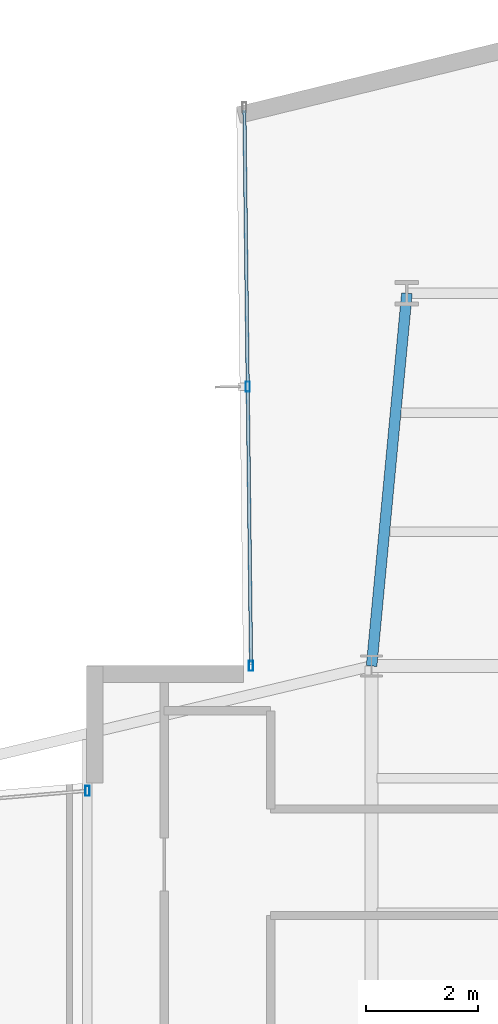
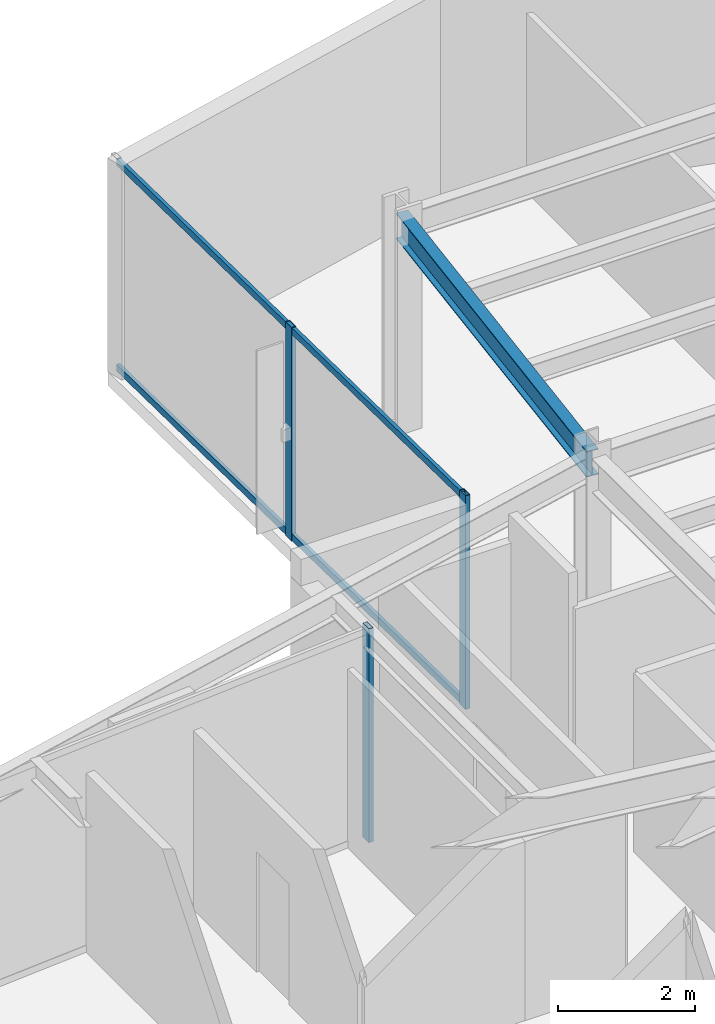
# One storey, part 10 of 25: 5 members, 1 beam, 2 elements without a shape of their own.
"""IFC4 building model written with IfcOpenShell, lengths in metres."""

import ifcopenshell
import ifcopenshell.guid

model = None  # the IFC model being written
_history = None  # IfcOwnerHistory: only IFC2X3 demands one
_inside = {}  # id of a spatial element -> (the spatial element, [elements in it])
_under = {}  # id of a project, library or spatial element -> (it, [spatial elements below it])
_declared = {}  # id of a project -> (the project, [libraries it declares])
_typed = {}  # id of a type object -> (the type object, [elements of that type])
_made_of = {}  # id of a material, layer set ... -> (it, [elements and type objects made of it])


def new_model(schema):
    """Start an empty IFC model of exactly this schema.

    Asked for "IFC4X3", IfcOpenShell would pick the latest addendum, in which some entities
    have other attributes; the version numbers below select the first issue.
    IFC2X3 requires an IfcOwnerHistory on every rooted entity: one is made here for all.
    """
    global model, _history
    if schema == "IFC4X3":
        model = ifcopenshell.file(schema_version=(4, 3, 0, 0))
    else:
        model = ifcopenshell.file(schema=schema)
    _inside.clear()
    _under.clear()
    _declared.clear()
    _typed.clear()
    _made_of.clear()
    _history = None
    if model.schema == "IFC2X3":
        org = make("IfcOrganization", Name="unknown")
        user = make(
            "IfcPersonAndOrganization",
            ThePerson=make("IfcPerson", FamilyName="unknown"),
            TheOrganization=org,
        )
        app = make(
            "IfcApplication",
            ApplicationDeveloper=org,
            Version="unknown",
            ApplicationFullName="unknown",
            ApplicationIdentifier="unknown",
        )
        _history = make(
            "IfcOwnerHistory",
            OwningUser=user,
            OwningApplication=app,
            ChangeAction="ADDED",
            CreationDate=0,
        )
    return model


def make(cls, **values):
    """One entity of the class cls with the attributes given. An attribute that is None is left unset."""
    return model.create_entity(
        cls, **{name: value for name, value in values.items() if value is not None}
    )


def rooted(cls, **values):
    """An entity with a GlobalId (a new one), such as an element, a storey or a relation."""
    return make(cls, GlobalId=ifcopenshell.guid.new(), OwnerHistory=_history, **values)


def si_unit(unit_type, name, prefix=None):
    """IfcSIUnit, for example si_unit("LENGTHUNIT", "METRE", prefix="MILLI")."""
    return make("IfcSIUnit", UnitType=unit_type, Prefix=prefix, Name=name)


def assignment(units):
    """IfcUnitAssignment: the units of a project."""
    return None if units is None else make("IfcUnitAssignment", Units=units)


def point(xyz):
    """IfcCartesianPoint."""
    return None if xyz is None else make("IfcCartesianPoint", Coordinates=xyz)


def direction(xyz):
    """IfcDirection."""
    return None if xyz is None else make("IfcDirection", DirectionRatios=xyz)


def frame(location, z_axis=None, x_axis=None):
    """IfcAxis2Placement3D, a coordinate frame: its origin and axes. An axis left out is left unset."""
    return make(
        "IfcAxis2Placement3D",
        Location=point(location),
        Axis=direction(z_axis),
        RefDirection=direction(x_axis),
    )


def frame_2d(location, x_axis=None):
    """IfcAxis2Placement2D, a coordinate frame in the plane: its origin and x axis."""
    return make(
        "IfcAxis2Placement2D", Location=point(location), RefDirection=direction(x_axis)
    )


def origin():
    """The frame at (0, 0, 0) with its axes left unset."""
    return frame((0.0, 0.0, 0.0))


def origin_2d():
    """The frame at (0, 0) in the plane with its x axis left unset."""
    return frame_2d((0.0, 0.0))


def place(relative_to, where):
    """IfcLocalPlacement: puts the frame where relative to a parent placement (None: the world)."""
    return make(
        "IfcLocalPlacement", PlacementRelTo=relative_to, RelativePlacement=where
    )


def context(
    kind, dimensions, precision=None, world=None, true_north=None, identifier=None
):
    """IfcGeometricRepresentationContext, for example the 3D "Model" context."""
    return make(
        "IfcGeometricRepresentationContext",
        ContextIdentifier=identifier,
        ContextType=kind,
        CoordinateSpaceDimension=dimensions,
        Precision=precision,
        WorldCoordinateSystem=world,
        TrueNorth=true_north,
    )


def subcontext(parent, identifier, kind, view, scale=None):
    """IfcGeometricRepresentationSubContext, for example "Body" below "Model"."""
    return make(
        "IfcGeometricRepresentationSubContext",
        ContextIdentifier=identifier,
        ContextType=kind,
        ParentContext=parent,
        TargetScale=scale,
        TargetView=view,
    )


def project(units=None, contexts=None):
    """IfcProject with its units and contexts."""
    return rooted(
        "IfcProject",
        Name="project",
        RepresentationContexts=contexts,
        UnitsInContext=assignment(units),
    )


def spatial(cls, under=None, at=None, **own):
    """A site, building, storey or space (cls), placed at a placement, below another one or the project."""
    s = rooted(cls, ObjectPlacement=at, **own)
    if under is not None:
        _under.setdefault(under.id(), (under, []))[1].append(s)
    return s


def profile(cls, at=None, kind="AREA", **sizes):
    """A parametric profile (cls). Its sizes go by their IFC names, for example OverallWidth=200.0."""
    return make(cls, ProfileType=kind, Position=at, **sizes)


def hollow_rectangle(**sizes):
    """IfcRectangleHollowProfileDef."""
    return profile("IfcRectangleHollowProfileDef", **sizes)


def i_section(**sizes):
    """IfcIShapeProfileDef."""
    return profile("IfcIShapeProfileDef", **sizes)


def extrude(swept, where, along, depth):
    """IfcExtrudedAreaSolid: the profile swept, set in the frame where, extruded along a direction by depth."""
    return make(
        "IfcExtrudedAreaSolid",
        SweptArea=swept,
        Position=where,
        ExtrudedDirection=direction(along),
        Depth=depth,
    )


def shape(context_of_items, identifier, shape_type, items):
    """IfcShapeRepresentation: the items that make up one representation, for example the "Body"."""
    return make(
        "IfcShapeRepresentation",
        ContextOfItems=context_of_items,
        RepresentationIdentifier=identifier,
        RepresentationType=shape_type,
        Items=items,
    )


def material(Name=None, Category=None):
    """IfcMaterial."""
    return make("IfcMaterial", Name=Name, Category=Category)


def layer(
    of_material, thickness, ventilated=None, Name=None, Category=None, Priority=None
):
    """IfcMaterialLayer: one layer of a wall or slab, of a material (None: an air gap)."""
    return make(
        "IfcMaterialLayer",
        Material=of_material,
        LayerThickness=thickness,
        IsVentilated=ventilated,
        Name=Name,
        Category=Category,
        Priority=Priority,
    )


def layer_set(layers, Name=None):
    """IfcMaterialLayerSet."""
    return make("IfcMaterialLayerSet", MaterialLayers=layers, LayerSetName=Name)


def material_profile(
    of_material, cross_section, Name=None, Category=None, Priority=None
):
    """IfcMaterialProfile: a cross section and its material."""
    return make(
        "IfcMaterialProfile",
        Name=Name,
        Material=of_material,
        Profile=cross_section,
        Priority=Priority,
        Category=Category,
    )


def profile_set(profiles, Name=None, composite=None):
    """IfcMaterialProfileSet."""
    return make(
        "IfcMaterialProfileSet",
        Name=Name,
        MaterialProfiles=profiles,
        CompositeProfile=composite,
    )


def made_of(thing, what):
    """Note that an element or type object is made of a material, layer set ...; save() writes the relation."""
    if what is not None:
        _made_of.setdefault(what.id(), (what, []))[1].append(thing)
    return thing


def type_object(cls, material=None, **own):
    """A type object (cls), such as IfcWallType, which elements share."""
    return made_of(rooted(cls, **own), material)


def element(
    cls,
    number,
    at=None,
    inside=None,
    cuts=None,
    type_object=None,
    material=None,
    context=None,
    identifier="Body",
    shape_type=None,
    held_by="IfcProductDefinitionShape",
    body=None,
    shapes=None,
    **own,
):
    """One element of the class cls, such as IfcWall. Its Tag is "e" and its number.

    at: its placement. inside: the storey or other place that contains it. cuts: it is an
    opening in that element (IfcRelVoidsElement). A single representation is given by context,
    identifier, shape_type and body (its items); several are given by shapes. held_by: the class
    of the entity that holds the representations. save() writes the other relations.
    """
    e = rooted(cls, Tag="e%d" % number, ObjectPlacement=at, **own)
    if body is not None:
        shapes = [shape(context, identifier, shape_type, body)]
    if shapes is not None:
        e.Representation = make(held_by, Representations=shapes)
    if inside is not None:
        _inside.setdefault(inside.id(), (inside, []))[1].append(e)
    if cuts is not None:
        rooted(
            "IfcRelVoidsElement", RelatingBuildingElement=cuts, RelatedOpeningElement=e
        )
    if type_object is not None:
        _typed.setdefault(type_object.id(), (type_object, []))[1].append(e)
    return made_of(e, material)


def aggregate(whole, parts):
    """IfcRelAggregates: a whole, such as a stair, and the parts it consists of."""
    return rooted("IfcRelAggregates", RelatingObject=whole, RelatedObjects=parts)


def save(model, path):
    """Write the relations noted so far, then the file.

    IfcRelAggregates (storeys below a building ...), IfcRelContainedInSpatialStructure (elements
    in a storey), IfcRelDefinesByType, IfcRelAssociatesMaterial and IfcRelDeclares: one each for
    every whole, place, type object, material and project.
    """
    for whole, parts in _under.values():
        aggregate(whole, parts)
    for where, things in _inside.values():
        rooted(
            "IfcRelContainedInSpatialStructure",
            RelatedElements=things,
            RelatingStructure=where,
        )
    for kind, things in _typed.values():
        rooted("IfcRelDefinesByType", RelatedObjects=things, RelatingType=kind)
    for what, things in _made_of.values():
        rooted("IfcRelAssociatesMaterial", RelatedObjects=things, RelatingMaterial=what)
    for by, libraries in _declared.values():
        rooted("IfcRelDeclares", RelatingContext=by, RelatedDefinitions=libraries)
    model.write(path)


model = new_model("IFC4")

# Units and contexts
model_context = context("Model", 3, precision=1e-05, world=origin(), true_north=direction((0.0, 1.0)))
body_context = subcontext(model_context, "Body", "Model", "MODEL_VIEW")
ifc_project = project(units=[si_unit("LENGTHUNIT", "METRE"), si_unit("AREAUNIT", "SQUARE_METRE"), si_unit("VOLUMEUNIT", "CUBIC_METRE"), si_unit("PLANEANGLEUNIT", "RADIAN"), si_unit("MASSUNIT", "GRAM", prefix="KILO")], contexts=[model_context])

# Site, building, storey
site_placement = place(None, origin())
site = spatial("IfcSite", under=ifc_project, at=site_placement, CompositionType="ELEMENT")
building_placement = place(site_placement, origin())
building = spatial("IfcBuilding", under=site, at=building_placement, Name="Veymaron Broadcast Tower", CompositionType="ELEMENT")
storey_placement = place(building_placement, frame((0.0, 0.0, 129.0)))
storey = spatial("IfcBuildingStorey", under=building, at=storey_placement, Name="L29", CompositionType="ELEMENT", Elevation=129.0)

# Beam
ifc_material_1 = material(Name="Structural steel ASTM A992 Gr 50", Category="steel")
ifc_material_profile_1 = material_profile(ifc_material_1, i_section(OverallWidth=0.19091796875, OverallDepth=0.4599609375, WebThickness=0.010009765625, FlangeThickness=0.01611328125, at=origin_2d()), Name="W460X82")
ifc_profile_set_1 = profile_set([ifc_material_profile_1], Name="Structural steel ASTM A992 Gr 50")
beam_type = type_object("IfcBeamType", Name="BM-SP1", PredefinedType="SPANDREL", material=ifc_profile_set_1)
beam_placement = place(storey_placement, frame((31.199951171875, 32.0, 3.580078125), z_axis=(0.094334757201, 0.995540533371, 0.0), x_axis=(-0.995540533371, 0.094334757201, 0.0)))
element("IfcBeam", 1, at=beam_placement, inside=storey, type_object=beam_type, Name="L29 primary structural floor girder", PredefinedType="SPANDREL", context=body_context, shape_type="SweptSolid", body=[
    extrude(i_section(OverallWidth=0.19091796875, OverallDepth=0.4599609375, WebThickness=0.010009765625, FlangeThickness=0.01611328125, at=origin_2d()), origin(), (0.0, 0.0, 1.0), 6.6796875),
])

# Curtain wall, members
ifc_material_2 = material(Name="Anodised aluminium AA 6063-T6 and laminated low-E dark glass", Category="aluminium")
ifc_layer = layer(ifc_material_2, 0.179931640625)
ifc_layer_set = layer_set([ifc_layer], Name="Anodised aluminium AA 6063-T6 and laminated low-E dark glass")
curtain_wall_type = type_object("IfcCurtainWallType", Name="CW-SYS-03", PredefinedType="NOTDEFINED", material=ifc_layer_set)
curtain_wall_1_placement = place(storey_placement, origin())
curtain_wall_1 = element("IfcCurtainWall", 2, at=curtain_wall_1_placement, inside=storey, type_object=curtain_wall_type, Name="L29 dark-glass curtain wall CW-L29-E8-1", PredefinedType="NOTDEFINED")
ifc_material_3 = material(Name="Anodised aluminium AA 6063-T6", Category="aluminium")
ifc_material_profile_2 = material_profile(ifc_material_3, hollow_rectangle(XDim=0.074951171875, YDim=0.179931640625, WallThickness=0.0048828125, at=origin_2d()), Name="AL180X75X5")
ifc_profile_set_2 = profile_set([ifc_material_profile_2], Name="Anodised aluminium AA 6063-T6")
member_type_1 = type_object("IfcMemberType", Name="CW-MUL-02", PredefinedType="MULLION", material=ifc_profile_set_2)
member_1_placement = place(storey_placement, frame((28.989990234375, 36.984130859375, 0.0), z_axis=(0.0, 0.0, 1.0), x_axis=(1.0, 0.0, 0.0)))
member_1 = element("IfcMember", 3, at=member_1_placement, type_object=member_type_1, Name="CW-L29-E8-1 mullion 1", PredefinedType="MULLION", context=body_context, shape_type="SweptSolid", body=[
    extrude(hollow_rectangle(XDim=0.074951171875, YDim=0.179931640625, WallThickness=0.0048828125, at=origin_2d()), origin(), (0.0, 0.0, 1.0), 3.81005859375),
])
member_2_placement = place(storey_placement, frame((29.05029296875, 32.001708984375, 0.0), z_axis=(0.0, 0.0, 1.0), x_axis=(1.0, 0.0, 0.0)))
member_2 = element("IfcMember", 4, at=member_2_placement, type_object=member_type_1, Name="CW-L29-E8-1 mullion 2", PredefinedType="MULLION", context=body_context, shape_type="SweptSolid", body=[
    extrude(hollow_rectangle(XDim=0.074951171875, YDim=0.179931640625, WallThickness=0.0048828125, at=origin_2d()), origin(), (0.0, 0.0, 1.0), 3.81005859375),
])

# Curtain wall, member
curtain_wall_2_placement = place(storey_placement, origin())
curtain_wall_2 = element("IfcCurtainWall", 5, at=curtain_wall_2_placement, inside=storey, type_object=curtain_wall_type, Name="L29 dark-glass curtain wall CW-L29-E11-1", PredefinedType="NOTDEFINED")
member_3_placement = place(storey_placement, frame((26.131591796875, 29.774658203125, 0.0), z_axis=(0.0, 0.0, 1.0), x_axis=(1.0, 0.0, 0.0)))
member_3 = element("IfcMember", 6, at=member_3_placement, type_object=member_type_1, Name="CW-L29-E11-1 mullion 0", PredefinedType="MULLION", context=body_context, shape_type="SweptSolid", body=[
    extrude(hollow_rectangle(XDim=0.074951171875, YDim=0.179931640625, WallThickness=0.0048828125, at=origin_2d()), origin(), (0.0, 0.0, 1.0), 3.81005859375),
])
aggregate(curtain_wall_2, [member_3])

# Member
ifc_material_profile_3 = material_profile(ifc_material_3, hollow_rectangle(XDim=0.06005859375, YDim=0.1201171875, WallThickness=0.00390625, at=origin_2d()), Name="AL120X60X4")
ifc_profile_set_3 = profile_set([ifc_material_profile_3], Name="Anodised aluminium AA 6063-T6")
member_type_2 = type_object("IfcMemberType", Name="CW-TRN-02", PredefinedType="USERDEFINED", material=ifc_profile_set_3)
member_4_placement = place(storey_placement, frame((28.9306640625, 41.916748046875, 0.070068359375), z_axis=(0.012076234683, -0.999927079619, 0.0), x_axis=(0.999927079619, 0.012076234683, 0.0)))
member_4 = element("IfcMember", 7, at=member_4_placement, type_object=member_type_2, Name="CW-L29-E8-1 transom B", ObjectType="TRANSOM", PredefinedType="USERDEFINED", context=body_context, shape_type="SweptSolid", body=[
    extrude(hollow_rectangle(XDim=0.06005859375, YDim=0.1201171875, WallThickness=0.00390625, at=origin_2d()), origin(), (0.0, 0.0, 1.0), 9.86572265625),
])

member_5_placement = place(storey_placement, frame((28.9306640625, 41.916748046875, 3.739990234375), z_axis=(0.012076234683, -0.999927079619, 0.0), x_axis=(0.999927079619, 0.012076234683, 0.0)))
member_5 = element("IfcMember", 8, at=member_5_placement, type_object=member_type_2, Name="CW-L29-E8-1 transom T", ObjectType="TRANSOM", PredefinedType="USERDEFINED", context=body_context, shape_type="SweptSolid", body=[
    extrude(hollow_rectangle(XDim=0.06005859375, YDim=0.1201171875, WallThickness=0.00390625, at=origin_2d()), origin(), (0.0, 0.0, 1.0), 9.86572265625),
])

aggregate(curtain_wall_1, [member_1, member_2, member_4, member_5])

save(model, "model.ifc")
